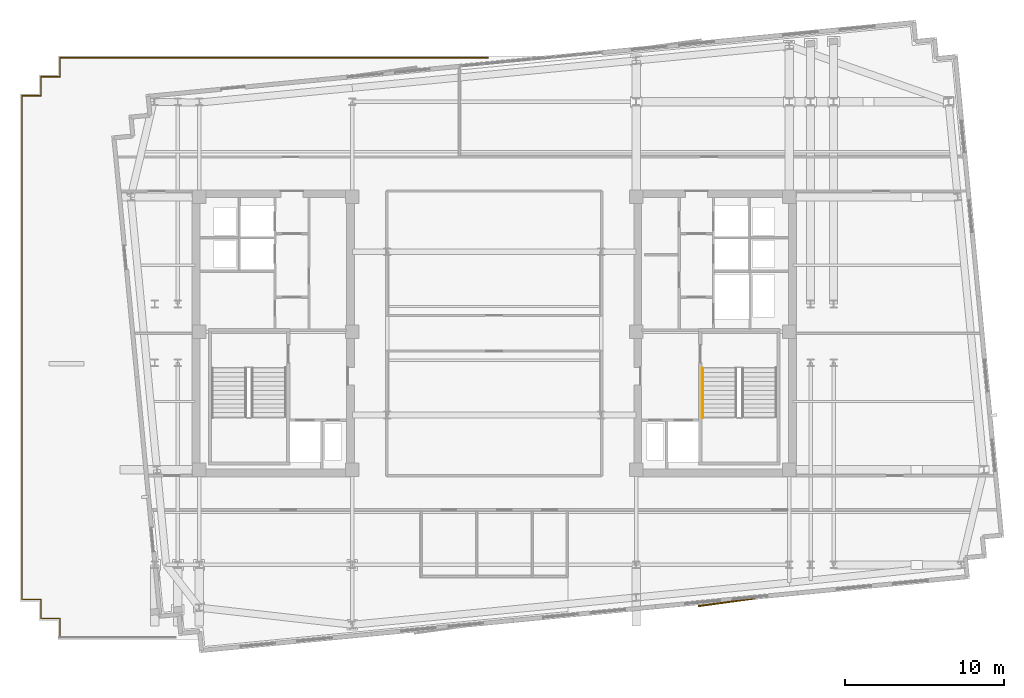
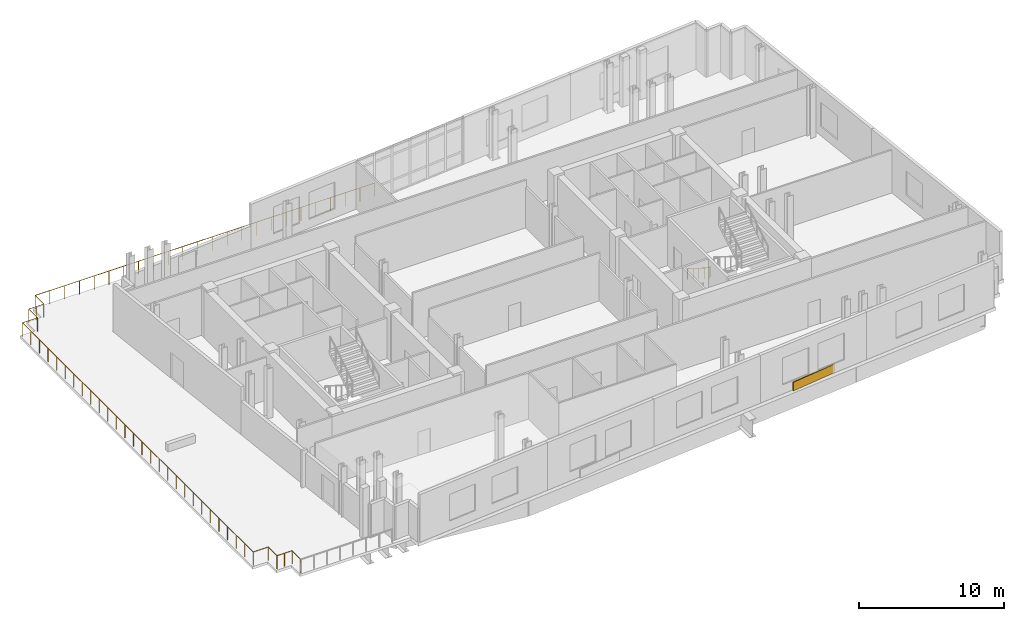
# One storey, part 10 of 11: 2 railings, 1 covering.
"""IFC4 building model written with IfcOpenShell, lengths in metres."""

from ifc_helpers import new_model, si_unit, direction, frame, origin, origin_2d, place, context, subcontext, project, spatial, rectangle, circle, extrude, material, layer, layer_set, type_object, element, save


model = new_model("IFC4")

# Units and contexts
model_context = context("Model", 3, precision=1e-05, world=origin(), true_north=direction((0.0, 1.0)))
body_context = subcontext(model_context, "Body", "Model", "MODEL_VIEW")
ifc_project = project(units=[si_unit("LENGTHUNIT", "METRE"), si_unit("AREAUNIT", "SQUARE_METRE"), si_unit("VOLUMEUNIT", "CUBIC_METRE"), si_unit("PLANEANGLEUNIT", "RADIAN"), si_unit("MASSUNIT", "GRAM", prefix="KILO")], contexts=[model_context])

# Site, building, storey
site_placement = place(None, origin())
site = spatial("IfcSite", under=ifc_project, at=site_placement, CompositionType="ELEMENT")
building_placement = place(site_placement, origin())
building = spatial("IfcBuilding", under=site, at=building_placement, Name="Velakula Bourse", CompositionType="ELEMENT")
storey_placement = place(building_placement, frame((0.0, 0.0, 247.5)))
storey = spatial("IfcBuildingStorey", under=building, at=storey_placement, Name="L67", CompositionType="ELEMENT", Elevation=247.5)

# Covering
ifc_material_1 = material(Name="Buff kilned clay facing brick masonry", Category="masonry")
ifc_layer = layer(ifc_material_1, 0.074951171875, Name="Buff kilned clay facing brick masonry", Category="masonry")
ifc_layer_set = layer_set([ifc_layer], Name="Buff kilned clay facing brick masonry")
covering_type = type_object("IfcCoveringType", Name="COV-BRK-SPN-75", PredefinedType="CLADDING", material=ifc_layer_set)
covering_placement = place(storey_placement, frame((14.655029296875, -16.955810546875, 0.0), z_axis=(0.0, 0.0, 1.0), x_axis=(0.990629029058, 0.136580111242, 0.0)))
element("IfcCovering", 1, at=covering_placement, inside=storey, type_object=covering_type, Name="L67 Folded Brick Facade Cladding Panel S-B4", PredefinedType="CLADDING", context=body_context, shape_type="SweptSolid", body=[
    extrude(rectangle(XDim=3.60009765625, YDim=0.090087890625, at=origin_2d()), origin(), (0.0, 0.0, 1.0), 0.719970703125),
])

# Railings
ifc_material_2 = material(Name="Brushed grade 316 stainless steel", Category="steel")
railing_type_1 = type_object("IfcRailingType", Name="RLG-STAIR-HAND-920", PredefinedType="HANDRAIL", material=ifc_material_2)
railing_1_placement = place(storey_placement, frame((13.14990234375, -2.199951171875, 0.175048828125)))
element("IfcRailing", 2, at=railing_1_placement, inside=storey, type_object=railing_type_1, Name="L67 ST-E1 stair handrail 1", PredefinedType="HANDRAIL", context=body_context, shape_type="SweptSolid", body=[
    extrude(circle(Radius=0.02099609375, at=origin_2d()), frame((0.0, 0.0, 0.89892578125), z_axis=(0.0, -0.847998304005, 0.529998940003), x_axis=(1.0, 0.0, 0.0)), (0.0, 0.0, 1.0), 3.632080078125),
    extrude(circle(Radius=0.02099609375, at=origin_2d()), frame((0.0, -3.080078125, 2.823974609375), z_axis=(0.0, -0.223268366363, 0.974757014123), x_axis=(1.0, 0.0, 0.0)), (0.0, 0.0, 1.0), 0.179443359375),
    extrude(circle(Radius=0.02099609375, at=origin_2d()), frame((0.0, -3.1201171875, 2.998779296875), z_axis=(0.0, -1.0, 0.0), x_axis=(1.0, 0.0, 0.0)), (0.0, 0.0, 1.0), 0.0048828125),
    extrude(circle(Radius=0.02099609375, at=origin_2d()), origin(), (0.0, 0.0, 1.0), 0.8779296875),
    extrude(circle(Radius=0.02099609375, at=origin_2d()), frame((0.0, -0.77001953125, 0.481201171875)), (0.0, 0.0, 1.0), 0.8779296875),
    extrude(circle(Radius=0.02099609375, at=origin_2d()), frame((0.0, -1.5400390625, 0.96240234375)), (0.0, 0.0, 1.0), 0.8779296875),
    extrude(circle(Radius=0.02099609375, at=origin_2d()), frame((0.0, -2.31005859375, 1.44384765625)), (0.0, 0.0, 1.0), 0.8779296875),
    extrude(circle(Radius=0.02099609375, at=origin_2d()), frame((0.0, -3.080078125, 1.925048828125)), (0.0, 0.0, 1.0), 0.8779296875),
    extrude(circle(Radius=0.02099609375, at=origin_2d()), frame((0.0, -3.1201171875, 2.099853515625)), (0.0, 0.0, 1.0), 0.8779296875),
    extrude(circle(Radius=0.02099609375, at=origin_2d()), frame((0.0, -3.125, 2.099853515625)), (0.0, 0.0, 1.0), 0.8779296875),
])
ifc_material_3 = material(Name="Anodised bronze architectural aluminium", Category="aluminium")
railing_type_2 = type_object("IfcRailingType", Name="RLG-TERR-1150", PredefinedType="BALUSTRADE", material=ifc_material_3)
railing_2_placement = place(storey_placement, frame((-27.3798828125, -19.179931640625, 0.0)))
element("IfcRailing", 3, at=railing_2_placement, inside=storey, type_object=railing_type_2, Name="L67 Sky-Garden Perimeter Balustrade 1", PredefinedType="BALUSTRADE", context=body_context, shape_type="SweptSolid", body=[
    extrude(circle(Radius=0.02392578125, at=origin_2d()), frame((0.0, 0.0, 1.1259765625), z_axis=(0.0, 1.0, 0.0), x_axis=(-1.0, 0.0, 0.0)), (0.0, 0.0, 1.0), 1.199951171875),
    extrude(circle(Radius=0.02392578125, at=origin_2d()), frame((0.0, 1.199951171875, 1.1259765625), z_axis=(-1.0, 0.0, 0.0), x_axis=(0.0, -1.0, 0.0)), (0.0, 0.0, 1.0), 1.2001953125),
    extrude(circle(Radius=0.02392578125, at=origin_2d()), frame((-1.2001953125, 1.199951171875, 1.1259765625), z_axis=(0.0, 1.0, 0.0), x_axis=(-1.0, 0.0, 0.0)), (0.0, 0.0, 1.0), 1.199951171875),
    extrude(circle(Radius=0.02392578125, at=origin_2d()), frame((-1.2001953125, 2.39990234375, 1.1259765625), z_axis=(-1.0, 0.0, 0.0), x_axis=(0.0, -1.0, 0.0)), (0.0, 0.0, 1.0), 1.199951171875),
    extrude(circle(Radius=0.02392578125, at=origin_2d()), frame((-2.400146484375, 2.39990234375, 1.1259765625), z_axis=(0.0, 1.0, 0.0), x_axis=(-1.0, 0.0, 0.0)), (0.0, 0.0, 1.0), 31.760009765625),
    extrude(circle(Radius=0.02392578125, at=origin_2d()), frame((-2.400146484375, 34.159912109375, 1.1259765625), z_axis=(1.0, 0.0, 0.0), x_axis=(0.0, 1.0, 0.0)), (0.0, 0.0, 1.0), 1.199951171875),
    extrude(circle(Radius=0.02392578125, at=origin_2d()), frame((-1.2001953125, 34.159912109375, 1.1259765625), z_axis=(0.0, 1.0, 0.0), x_axis=(-1.0, 0.0, 0.0)), (0.0, 0.0, 1.0), 1.199951171875),
    extrude(circle(Radius=0.02392578125, at=origin_2d()), frame((-1.2001953125, 35.35986328125, 1.1259765625), z_axis=(1.0, 0.0, 0.0), x_axis=(0.0, 1.0, 0.0)), (0.0, 0.0, 1.0), 1.2001953125),
    extrude(circle(Radius=0.02392578125, at=origin_2d()), frame((0.0, 35.35986328125, 1.1259765625), z_axis=(0.0, 1.0, 0.0), x_axis=(-1.0, 0.0, 0.0)), (0.0, 0.0, 1.0), 1.199951171875),
    extrude(circle(Radius=0.02392578125, at=origin_2d()), frame((0.0, 36.559814453125, 1.1259765625), z_axis=(1.0, 0.0, 0.0), x_axis=(0.0, 1.0, 0.0)), (0.0, 0.0, 1.0), 26.988037109375),
    extrude(circle(Radius=0.02099609375, at=origin_2d()), origin(), (0.0, 0.0, 1.0), 1.101806640625),
    extrude(circle(Radius=0.02099609375, at=origin_2d()), frame((0.0, 1.199951171875, 0.0)), (0.0, 0.0, 1.0), 1.101806640625),
    extrude(circle(Radius=0.02099609375, at=origin_2d()), frame((-0.60009765625, 1.199951171875, 0.0)), (0.0, 0.0, 1.0), 1.101806640625),
    extrude(circle(Radius=0.02099609375, at=origin_2d()), frame((-1.2001953125, 1.199951171875, 0.0)), (0.0, 0.0, 1.0), 1.101806640625),
    extrude(circle(Radius=0.02099609375, at=origin_2d()), frame((-1.2001953125, 2.39990234375, 0.0)), (0.0, 0.0, 1.0), 1.101806640625),
    extrude(circle(Radius=0.02099609375, at=origin_2d()), frame((-2.400146484375, 2.39990234375, 0.0)), (0.0, 0.0, 1.0), 1.101806640625),
    extrude(circle(Radius=0.02099609375, at=origin_2d()), frame((-2.400146484375, 3.576171875, 0.0)), (0.0, 0.0, 1.0), 1.101806640625),
    extrude(circle(Radius=0.02099609375, at=origin_2d()), frame((-2.400146484375, 4.75244140625, 0.0)), (0.0, 0.0, 1.0), 1.101806640625),
    extrude(circle(Radius=0.02099609375, at=origin_2d()), frame((-2.400146484375, 5.9287109375, 0.0)), (0.0, 0.0, 1.0), 1.101806640625),
    extrude(circle(Radius=0.02099609375, at=origin_2d()), frame((-2.400146484375, 7.10498046875, 0.0)), (0.0, 0.0, 1.0), 1.101806640625),
    extrude(circle(Radius=0.02099609375, at=origin_2d()), frame((-2.400146484375, 8.281494140625, 0.0)), (0.0, 0.0, 1.0), 1.101806640625),
    extrude(circle(Radius=0.02099609375, at=origin_2d()), frame((-2.400146484375, 9.457763671875, 0.0)), (0.0, 0.0, 1.0), 1.101806640625),
    extrude(circle(Radius=0.02099609375, at=origin_2d()), frame((-2.400146484375, 10.634033203125, 0.0)), (0.0, 0.0, 1.0), 1.101806640625),
    extrude(circle(Radius=0.02099609375, at=origin_2d()), frame((-2.400146484375, 11.810302734375, 0.0)), (0.0, 0.0, 1.0), 1.101806640625),
    extrude(circle(Radius=0.02099609375, at=origin_2d()), frame((-2.400146484375, 12.986572265625, 0.0)), (0.0, 0.0, 1.0), 1.101806640625),
    extrude(circle(Radius=0.02099609375, at=origin_2d()), frame((-2.400146484375, 14.162841796875, 0.0)), (0.0, 0.0, 1.0), 1.101806640625),
    extrude(circle(Radius=0.02099609375, at=origin_2d()), frame((-2.400146484375, 15.339111328125, 0.0)), (0.0, 0.0, 1.0), 1.101806640625),
    extrude(circle(Radius=0.02099609375, at=origin_2d()), frame((-2.400146484375, 16.515380859375, 0.0)), (0.0, 0.0, 1.0), 1.101806640625),
    extrude(circle(Radius=0.02099609375, at=origin_2d()), frame((-2.400146484375, 17.691650390625, 0.0)), (0.0, 0.0, 1.0), 1.101806640625),
    extrude(circle(Radius=0.02099609375, at=origin_2d()), frame((-2.400146484375, 18.8681640625, 0.0)), (0.0, 0.0, 1.0), 1.101806640625),
    extrude(circle(Radius=0.02099609375, at=origin_2d()), frame((-2.400146484375, 20.04443359375, 0.0)), (0.0, 0.0, 1.0), 1.101806640625),
    extrude(circle(Radius=0.02099609375, at=origin_2d()), frame((-2.400146484375, 21.220703125, 0.0)), (0.0, 0.0, 1.0), 1.101806640625),
    extrude(circle(Radius=0.02099609375, at=origin_2d()), frame((-2.400146484375, 22.39697265625, 0.0)), (0.0, 0.0, 1.0), 1.101806640625),
    extrude(circle(Radius=0.02099609375, at=origin_2d()), frame((-2.400146484375, 23.5732421875, 0.0)), (0.0, 0.0, 1.0), 1.101806640625),
    extrude(circle(Radius=0.02099609375, at=origin_2d()), frame((-2.400146484375, 24.74951171875, 0.0)), (0.0, 0.0, 1.0), 1.101806640625),
    extrude(circle(Radius=0.02099609375, at=origin_2d()), frame((-2.400146484375, 25.92578125, 0.0)), (0.0, 0.0, 1.0), 1.101806640625),
    extrude(circle(Radius=0.02099609375, at=origin_2d()), frame((-2.400146484375, 27.10205078125, 0.0)), (0.0, 0.0, 1.0), 1.101806640625),
    extrude(circle(Radius=0.02099609375, at=origin_2d()), frame((-2.400146484375, 28.2783203125, 0.0)), (0.0, 0.0, 1.0), 1.101806640625),
    extrude(circle(Radius=0.02099609375, at=origin_2d()), frame((-2.400146484375, 29.454833984375, 0.0)), (0.0, 0.0, 1.0), 1.101806640625),
    extrude(circle(Radius=0.02099609375, at=origin_2d()), frame((-2.400146484375, 30.631103515625, 0.0)), (0.0, 0.0, 1.0), 1.101806640625),
    extrude(circle(Radius=0.02099609375, at=origin_2d()), frame((-2.400146484375, 31.807373046875, 0.0)), (0.0, 0.0, 1.0), 1.101806640625),
    extrude(circle(Radius=0.02099609375, at=origin_2d()), frame((-2.400146484375, 32.983642578125, 0.0)), (0.0, 0.0, 1.0), 1.101806640625),
    extrude(circle(Radius=0.02099609375, at=origin_2d()), frame((-2.400146484375, 34.159912109375, 0.0)), (0.0, 0.0, 1.0), 1.101806640625),
    extrude(circle(Radius=0.02099609375, at=origin_2d()), frame((-1.2001953125, 34.159912109375, 0.0)), (0.0, 0.0, 1.0), 1.101806640625),
    extrude(circle(Radius=0.02099609375, at=origin_2d()), frame((-1.2001953125, 35.35986328125, 0.0)), (0.0, 0.0, 1.0), 1.101806640625),
    extrude(circle(Radius=0.02099609375, at=origin_2d()), frame((-0.60009765625, 35.35986328125, 0.0)), (0.0, 0.0, 1.0), 1.101806640625),
    extrude(circle(Radius=0.02099609375, at=origin_2d()), frame((0.0, 35.35986328125, 0.0)), (0.0, 0.0, 1.0), 1.101806640625),
    extrude(circle(Radius=0.02099609375, at=origin_2d()), frame((0.0, 36.559814453125, 0.0)), (0.0, 0.0, 1.0), 1.101806640625),
    extrude(circle(Radius=0.02099609375, at=origin_2d()), frame((1.17333984375, 36.559814453125, 0.0)), (0.0, 0.0, 1.0), 1.101806640625),
    extrude(circle(Radius=0.02099609375, at=origin_2d()), frame((2.3466796875, 36.559814453125, 0.0)), (0.0, 0.0, 1.0), 1.101806640625),
    extrude(circle(Radius=0.02099609375, at=origin_2d()), frame((3.520263671875, 36.559814453125, 0.0)), (0.0, 0.0, 1.0), 1.101806640625),
    extrude(circle(Radius=0.02099609375, at=origin_2d()), frame((4.693603515625, 36.559814453125, 0.0)), (0.0, 0.0, 1.0), 1.101806640625),
    extrude(circle(Radius=0.02099609375, at=origin_2d()), frame((5.866943359375, 36.559814453125, 0.0)), (0.0, 0.0, 1.0), 1.101806640625),
    extrude(circle(Radius=0.02099609375, at=origin_2d()), frame((7.040283203125, 36.559814453125, 0.0)), (0.0, 0.0, 1.0), 1.101806640625),
    extrude(circle(Radius=0.02099609375, at=origin_2d()), frame((8.2138671875, 36.559814453125, 0.0)), (0.0, 0.0, 1.0), 1.101806640625),
    extrude(circle(Radius=0.02099609375, at=origin_2d()), frame((9.38720703125, 36.559814453125, 0.0)), (0.0, 0.0, 1.0), 1.101806640625),
    extrude(circle(Radius=0.02099609375, at=origin_2d()), frame((10.560546875, 36.559814453125, 0.0)), (0.0, 0.0, 1.0), 1.101806640625),
    extrude(circle(Radius=0.02099609375, at=origin_2d()), frame((11.73388671875, 36.559814453125, 0.0)), (0.0, 0.0, 1.0), 1.101806640625),
    extrude(circle(Radius=0.02099609375, at=origin_2d()), frame((12.9072265625, 36.559814453125, 0.0)), (0.0, 0.0, 1.0), 1.101806640625),
    extrude(circle(Radius=0.02099609375, at=origin_2d()), frame((14.080810546875, 36.559814453125, 0.0)), (0.0, 0.0, 1.0), 1.101806640625),
    extrude(circle(Radius=0.02099609375, at=origin_2d()), frame((15.254150390625, 36.559814453125, 0.0)), (0.0, 0.0, 1.0), 1.101806640625),
    extrude(circle(Radius=0.02099609375, at=origin_2d()), frame((16.427490234375, 36.559814453125, 0.0)), (0.0, 0.0, 1.0), 1.101806640625),
    extrude(circle(Radius=0.02099609375, at=origin_2d()), frame((17.600830078125, 36.559814453125, 0.0)), (0.0, 0.0, 1.0), 1.101806640625),
    extrude(circle(Radius=0.02099609375, at=origin_2d()), frame((18.774169921875, 36.559814453125, 0.0)), (0.0, 0.0, 1.0), 1.101806640625),
    extrude(circle(Radius=0.02099609375, at=origin_2d()), frame((19.94775390625, 36.559814453125, 0.0)), (0.0, 0.0, 1.0), 1.101806640625),
    extrude(circle(Radius=0.02099609375, at=origin_2d()), frame((21.12109375, 36.559814453125, 0.0)), (0.0, 0.0, 1.0), 1.101806640625),
    extrude(circle(Radius=0.02099609375, at=origin_2d()), frame((22.29443359375, 36.559814453125, 0.0)), (0.0, 0.0, 1.0), 1.101806640625),
    extrude(circle(Radius=0.02099609375, at=origin_2d()), frame((23.4677734375, 36.559814453125, 0.0)), (0.0, 0.0, 1.0), 1.101806640625),
    extrude(circle(Radius=0.02099609375, at=origin_2d()), frame((24.641357421875, 36.559814453125, 0.0)), (0.0, 0.0, 1.0), 1.101806640625),
    extrude(circle(Radius=0.02099609375, at=origin_2d()), frame((25.814697265625, 36.559814453125, 0.0)), (0.0, 0.0, 1.0), 1.101806640625),
    extrude(circle(Radius=0.02099609375, at=origin_2d()), frame((26.988037109375, 36.559814453125, 0.0)), (0.0, 0.0, 1.0), 1.101806640625),
])

save(model, "model.ifc")
